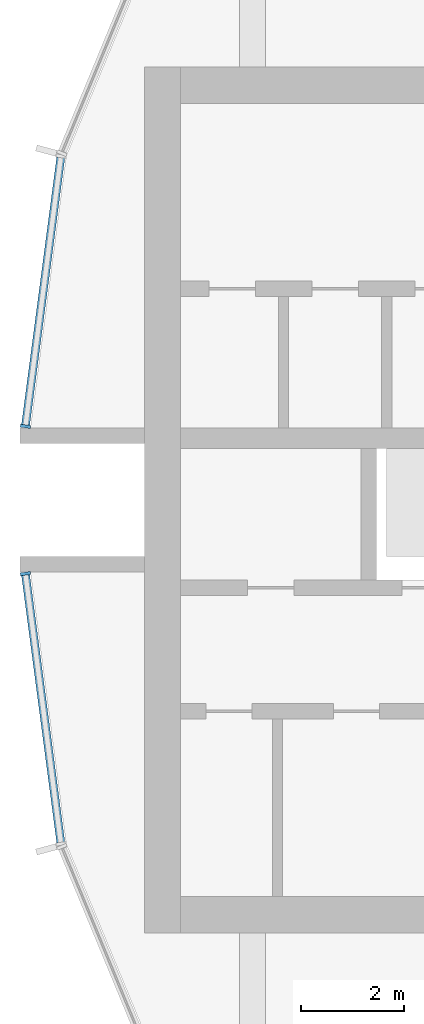
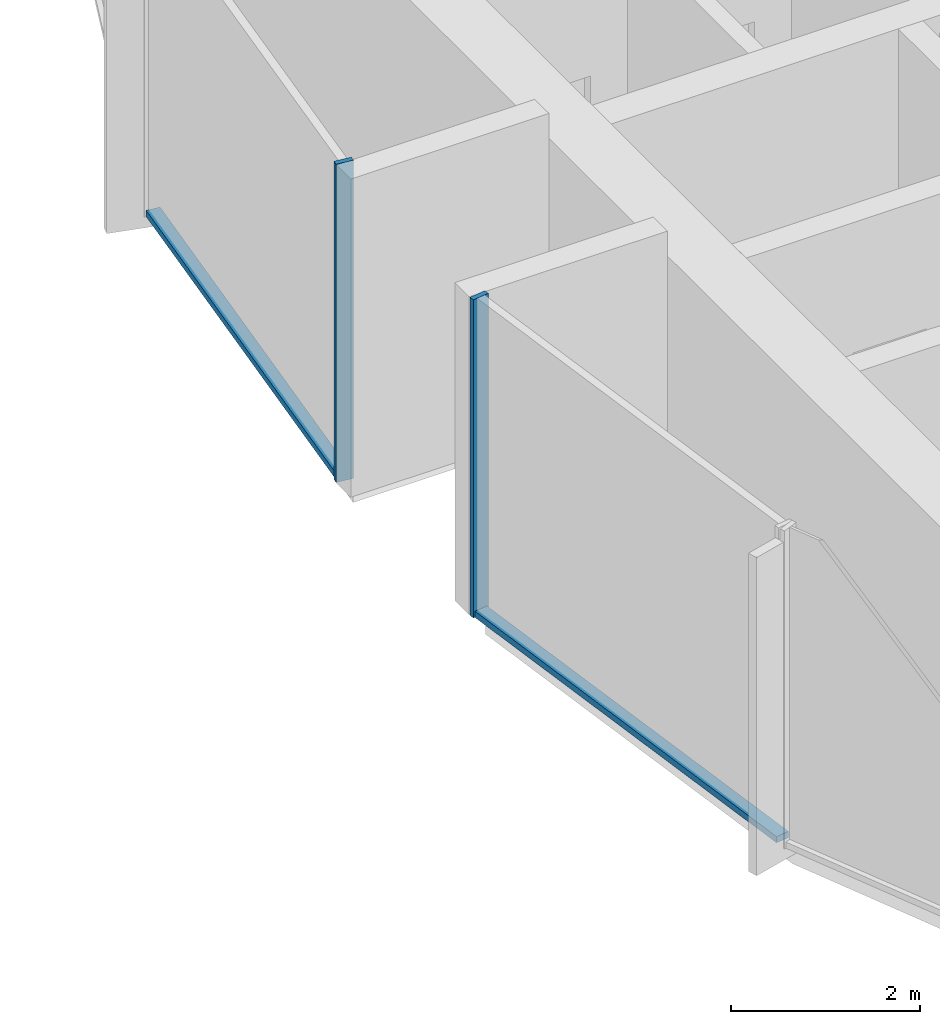
# One storey, part 3 of 15: 4 members, 2 elements without a shape of their own.
"""IFC4 building model written with IfcOpenShell, lengths in metres."""

from ifc_helpers import new_model, si_unit, direction, frame, origin, origin_2d, place, context, subcontext, project, spatial, rectangle, extrude, material, layer, layer_set, material_profile, profile_set, type_object, element, aggregate, save


model = new_model("IFC4")

# Units and contexts
model_context = context("Model", 3, precision=1e-05, world=origin(), true_north=direction((0.0, 1.0)))
body_context = subcontext(model_context, "Body", "Model", "MODEL_VIEW")
ifc_project = project(units=[si_unit("LENGTHUNIT", "METRE"), si_unit("AREAUNIT", "SQUARE_METRE"), si_unit("VOLUMEUNIT", "CUBIC_METRE"), si_unit("PLANEANGLEUNIT", "RADIAN"), si_unit("MASSUNIT", "GRAM", prefix="KILO")], contexts=[model_context])

# Site, building, storey
site_placement = place(None, origin())
site = spatial("IfcSite", under=ifc_project, at=site_placement, CompositionType="ELEMENT")
building_placement = place(site_placement, origin())
building = spatial("IfcBuilding", under=site, at=building_placement, Name="Torre Brocal", CompositionType="ELEMENT")
storey_placement = place(building_placement, frame((0.0, 0.0, 190.5)))
storey = spatial("IfcBuildingStorey", under=building, at=storey_placement, Name="L44", CompositionType="ELEMENT", Elevation=190.5)

# Curtain wall, member
ifc_material_1 = material(Name="Aluminium and glass", Category="aluminium")
ifc_layer = layer(ifc_material_1, 0.199951171875)
ifc_layer_set = layer_set([ifc_layer], Name="Aluminium and glass")
curtain_wall_type = type_object("IfcCurtainWallType", Name="CW-1B CURTAIN WALL 4100 HIGH", PredefinedType="NOTDEFINED", material=ifc_layer_set)
curtain_wall_1_placement = place(storey_placement, origin())
curtain_wall_1 = element("IfcCurtainWall", 1, at=curtain_wall_1_placement, inside=storey, type_object=curtain_wall_type, Name="CW-1B RUN 12", PredefinedType="NOTDEFINED")
ifc_material_2 = material(Name="Aluminium, dark anodised", Category="aluminium")
ifc_material_profile_1 = material_profile(ifc_material_2, rectangle(XDim=0.199951171875, YDim=0.06005859375, at=origin_2d()), Name="CW-1B MULLION 60X200")
ifc_profile_set_1 = profile_set([ifc_material_profile_1], Name="Aluminium, dark anodised")
member_type_1 = type_object("IfcMemberType", Name="CW-1B MULLION 60X200", PredefinedType="MULLION", material=ifc_profile_set_1)
member_1_placement = place(storey_placement, frame((54.2890625, 76.4296875, 0.0), z_axis=(0.0, 0.0, 1.0), x_axis=(0.991444861374, -0.13052619222, 0.0)))
member_1 = element("IfcMember", 2, at=member_1_placement, type_object=member_type_1, Name="CW1B-4 mullion 2", PredefinedType="MULLION", context=body_context, shape_type="SweptSolid", body=[
    extrude(rectangle(XDim=0.199951171875, YDim=0.06005859375, at=origin_2d()), origin(), (0.0, 0.0, 1.0), 4.10009765625),
])

curtain_wall_2_placement = place(storey_placement, origin())
curtain_wall_2 = element("IfcCurtainWall", 3, at=curtain_wall_2_placement, inside=storey, type_object=curtain_wall_type, Name="CW-1B RUN 13", PredefinedType="NOTDEFINED")
member_2_placement = place(storey_placement, frame((54.2890625, 73.5703125, 0.0), z_axis=(0.0, 0.0, 1.0), x_axis=(0.991444861374, 0.13052619222, 0.0)))
member_2 = element("IfcMember", 4, at=member_2_placement, type_object=member_type_1, Name="CW1B-4 mullion 1", PredefinedType="MULLION", context=body_context, shape_type="SweptSolid", body=[
    extrude(rectangle(XDim=0.199951171875, YDim=0.06005859375, at=origin_2d()), origin(), (0.0, 0.0, 1.0), 4.10009765625),
])

# Member
ifc_material_3 = material(Name="Aluminium, dark anodised", Category="aluminium")
ifc_material_profile_2 = material_profile(ifc_material_3, rectangle(XDim=0.159912109375, YDim=0.080078125, at=origin_2d()), Name="CW-1B TRANSOM 160X80")
ifc_profile_set_2 = profile_set([ifc_material_profile_2], Name="Aluminium, dark anodised")
member_type_2 = type_object("IfcMemberType", Name="CW-1B TRANSOM 160X80", PredefinedType="USERDEFINED", material=ifc_profile_set_2)
member_3_placement = place(storey_placement, frame((54.9755859375, 81.643798828125, 0.0400390625), z_axis=(-0.130542677827, -0.991442690863, 0.0), x_axis=(0.991442690863, -0.130542677827, 0.0)))
member_3 = element("IfcMember", 5, at=member_3_placement, type_object=member_type_2, Name="CW1B-4 transom 1.1", ObjectType="TRANSOM", PredefinedType="USERDEFINED", context=body_context, shape_type="SweptSolid", body=[
    extrude(rectangle(XDim=0.159912109375, YDim=0.080078125, at=origin_2d()), origin(), (0.0, 0.0, 1.0), 5.22900390625),
])

aggregate(curtain_wall_1, [member_1, member_3])

member_4_placement = place(storey_placement, frame((54.29296875, 73.54052734375, 0.0400390625), z_axis=(0.130542677827, -0.991442690863, 0.0), x_axis=(0.991442690863, 0.130542677827, 0.0)))
member_4 = element("IfcMember", 6, at=member_4_placement, type_object=member_type_2, Name="CW1B-4 transom 1.1", ObjectType="TRANSOM", PredefinedType="USERDEFINED", context=body_context, shape_type="SweptSolid", body=[
    extrude(rectangle(XDim=0.159912109375, YDim=0.080078125, at=origin_2d()), origin(), (0.0, 0.0, 1.0), 5.22900390625),
])

aggregate(curtain_wall_2, [member_2, member_4])

save(model, "model.ifc")
